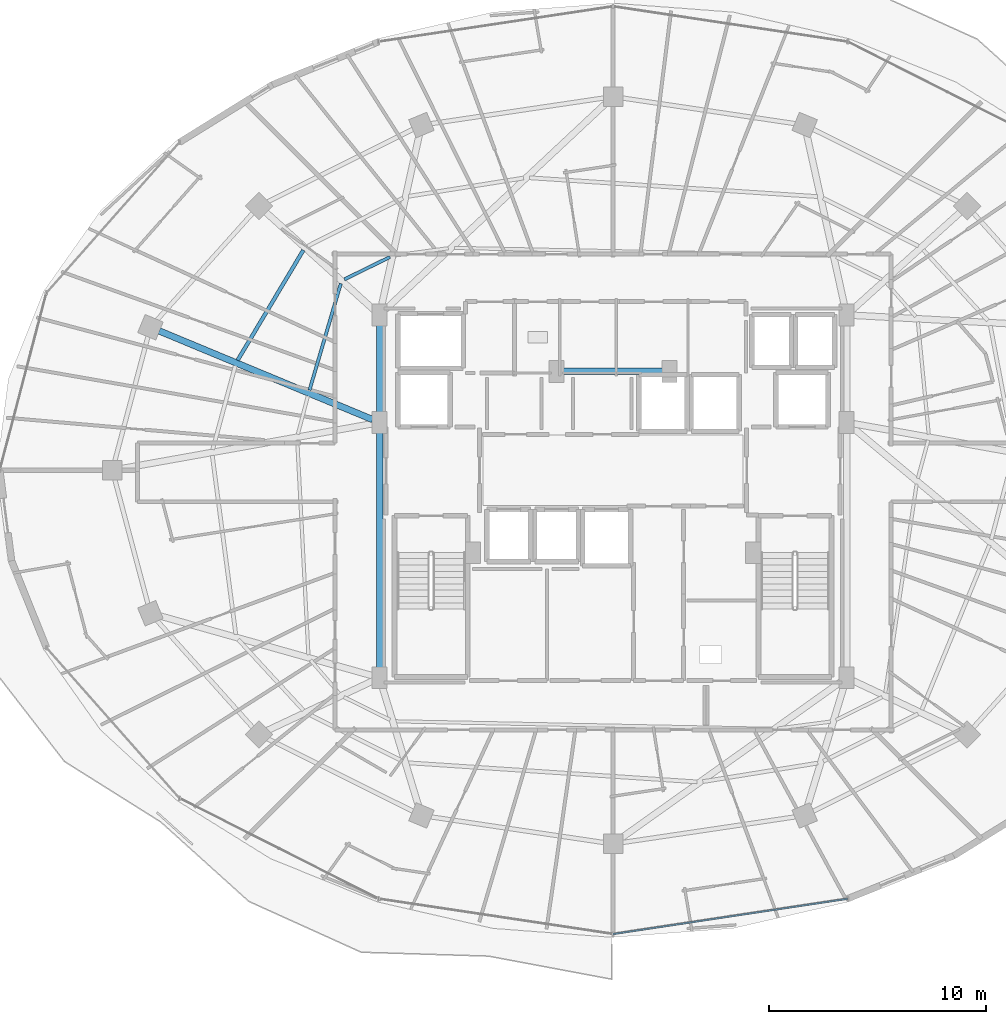
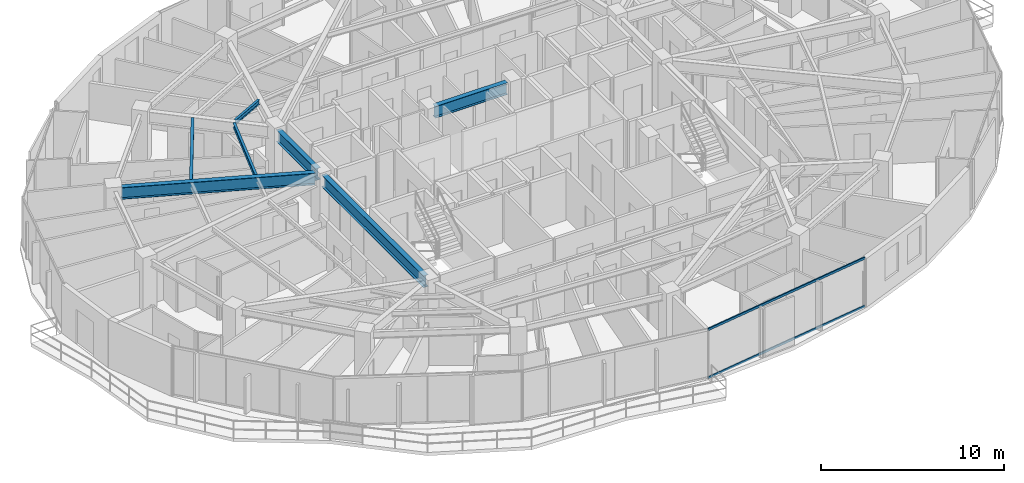
# One storey, part 10 of 34: 7 beams, 2 members, 1 element without a shape of its own.
"""IFC4 building model written with IfcOpenShell, lengths in metres."""

from ifc_helpers import new_model, si_unit, direction, frame, origin, origin_2d, place, context, subcontext, project, spatial, hollow_rectangle, i_section, extrude, material, material_profile, profile_set, type_object, element, aggregate, save


model = new_model("IFC4")

# Units and contexts
model_context = context("Model", 3, precision=1e-05, world=origin(), true_north=direction((0.0, 1.0)))
body_context = subcontext(model_context, "Body", "Model", "MODEL_VIEW")
ifc_project = project(units=[si_unit("LENGTHUNIT", "METRE"), si_unit("AREAUNIT", "SQUARE_METRE"), si_unit("VOLUMEUNIT", "CUBIC_METRE"), si_unit("PLANEANGLEUNIT", "RADIAN"), si_unit("MASSUNIT", "GRAM", prefix="KILO")], contexts=[model_context])

# Site, building, storey
site_placement = place(None, origin())
site = spatial("IfcSite", under=ifc_project, at=site_placement, CompositionType="ELEMENT")
building_placement = place(site_placement, origin())
building = spatial("IfcBuilding", under=site, at=building_placement, Name="Vorneva Point Tower", CompositionType="ELEMENT")
storey_placement = place(building_placement, frame((0.0, 0.0, 186.10009765625)))
storey = spatial("IfcBuildingStorey", under=building, at=storey_placement, Name="L50", CompositionType="ELEMENT", Elevation=186.10009765625)

# Beams
ifc_material_1 = material(Name="Steel S355", Category="steel")
ifc_material_profile_1 = material_profile(ifc_material_1, i_section(OverallWidth=0.300048828125, OverallDepth=0.7880859375, WebThickness=0.014404296875, FlangeThickness=0.02197265625, at=origin_2d()), Name="80Sh1")
ifc_profile_set_1 = profile_set([ifc_material_profile_1], Name="Steel S355")
beam_type_1 = type_object("IfcBeamType", Name="BM-GRD-80Sh1", PredefinedType="USERDEFINED", material=ifc_profile_set_1)
beam_1_placement = place(storey_placement, frame((17.109130859375, 32.4140625, 2.845947265625), z_axis=(0.923445067159, -0.383730645035, 0.0), x_axis=(0.383730645035, 0.923445067159, 0.0)))
element("IfcBeam", 1, at=beam_1_placement, inside=storey, type_object=beam_type_1, Name="L50 Radial Primary Girder 08", ObjectType="GIRDER", PredefinedType="USERDEFINED", context=body_context, shape_type="SweptSolid", body=[
    extrude(i_section(OverallWidth=0.300048828125, OverallDepth=0.7880859375, WebThickness=0.014404296875, FlangeThickness=0.02197265625, at=origin_2d()), origin(), (0.0, 0.0, 1.0), 10.6416015625),
])
beam_2_placement = place(storey_placement, frame((27.25, 16.77001953125, 2.845947265625), z_axis=(0.0, 1.0, 0.0), x_axis=(-1.0, 0.0, 0.0)))
element("IfcBeam", 2, at=beam_2_placement, inside=storey, type_object=beam_type_1, Name="L50 Core Tie Girder CT1", ObjectType="GIRDER", PredefinedType="USERDEFINED", context=body_context, shape_type="SweptSolid", body=[
    extrude(i_section(OverallWidth=0.300048828125, OverallDepth=0.7880859375, WebThickness=0.014404296875, FlangeThickness=0.02197265625, at=origin_2d()), origin(), (0.0, 0.0, 1.0), 11.10986328125),
])
beam_3_placement = place(storey_placement, frame((27.25, 28.52001953125, 2.845947265625), z_axis=(0.0, 1.0, 0.0), x_axis=(-1.0, 0.0, 0.0)))
element("IfcBeam", 3, at=beam_3_placement, inside=storey, type_object=beam_type_1, Name="L50 Core Tie Girder CT2", ObjectType="GIRDER", PredefinedType="USERDEFINED", context=body_context, shape_type="SweptSolid", body=[
    extrude(i_section(OverallWidth=0.300048828125, OverallDepth=0.7880859375, WebThickness=0.014404296875, FlangeThickness=0.02197265625, at=origin_2d()), origin(), (0.0, 0.0, 1.0), 4.31005859375),
])
beam_4_placement = place(storey_placement, frame((35.719970703125, 30.550048828125, 2.845947265625), z_axis=(1.0, 0.0, 0.0), x_axis=(0.0, 1.0, 0.0)))
element("IfcBeam", 4, at=beam_4_placement, inside=storey, type_object=beam_type_1, Name="L50 Core Tie Girder CT8", ObjectType="GIRDER", PredefinedType="USERDEFINED", context=body_context, shape_type="SweptSolid", body=[
    extrude(i_section(OverallWidth=0.300048828125, OverallDepth=0.7880859375, WebThickness=0.014404296875, FlangeThickness=0.02197265625, at=origin_2d()), origin(), (0.0, 0.0, 1.0), 4.56005859375),
])
ifc_material_profile_2 = material_profile(ifc_material_1, i_section(OverallWidth=0.14892578125, OverallDepth=0.298095703125, WebThickness=0.005615234375, FlangeThickness=0.008056640625, at=origin_2d()), Name="30B1")
ifc_profile_set_2 = profile_set([ifc_material_profile_2], Name="Steel S355")
beam_type_2 = type_object("IfcBeamType", Name="BM-JST-30B1", PredefinedType="JOIST", material=ifc_profile_set_2)
beam_5_placement = place(storey_placement, frame((27.727783203125, 35.8154296875, 3.0908203125), z_axis=(-0.897704429199, -0.440598181789, 0.0), x_axis=(0.440598181789, -0.897704429199, 0.0)))
element("IfcBeam", 5, at=beam_5_placement, inside=storey, type_object=beam_type_2, Name="L50 Secondary Floor Beam 2.06", PredefinedType="JOIST", context=body_context, shape_type="SweptSolid", body=[
    extrude(i_section(OverallWidth=0.14892578125, OverallDepth=0.298095703125, WebThickness=0.005615234375, FlangeThickness=0.008056640625, at=origin_2d()), origin(), (0.0, 0.0, 1.0), 2.336669921875),
])
beam_6_placement = place(storey_placement, frame((25.46728515625, 34.5927734375, 3.0908203125), z_axis=(-0.281778448701, -0.959479497357, 0.0), x_axis=(0.959479497357, -0.281778448701, 0.0)))
element("IfcBeam", 6, at=beam_6_placement, inside=storey, type_object=beam_type_2, Name="L50 Secondary Floor Beam 2.07", PredefinedType="JOIST", context=body_context, shape_type="SweptSolid", body=[
    extrude(i_section(OverallWidth=0.14892578125, OverallDepth=0.298095703125, WebThickness=0.005615234375, FlangeThickness=0.008056640625, at=origin_2d()), origin(), (0.0, 0.0, 1.0), 5.11181640625),
])
ifc_material_profile_3 = material_profile(ifc_material_1, i_section(OverallWidth=0.174072265625, OverallDepth=0.345947265625, WebThickness=0.006103515625, FlangeThickness=0.009033203125, at=origin_2d()), Name="35B1")
ifc_profile_set_3 = profile_set([ifc_material_profile_3], Name="Steel S355")
beam_type_3 = type_object("IfcBeamType", Name="BM-SEC-35B1", PredefinedType="BEAM", material=ifc_profile_set_3)
beam_7_placement = place(storey_placement, frame((23.7451171875, 36.133544921875, 3.06689453125), z_axis=(-0.512622198489, -0.858614279882, 0.0), x_axis=(0.858614279882, -0.512622198489, 0.0)))
element("IfcBeam", 7, at=beam_7_placement, inside=storey, type_object=beam_type_3, Name="L50 Secondary Floor Beam 1.07", PredefinedType="BEAM", context=body_context, shape_type="SweptSolid", body=[
    extrude(i_section(OverallWidth=0.174072265625, OverallDepth=0.345947265625, WebThickness=0.006103515625, FlangeThickness=0.009033203125, at=origin_2d()), origin(), (0.0, 0.0, 1.0), 5.906005859375),
])

# Curtain wall, members
ifc_material_2 = material(Name="Pale anodised aluminium", Category="aluminium")
curtain_wall_type = type_object("IfcCurtainWallType", Name="CW-RES-SYS", PredefinedType="NOTDEFINED", material=ifc_material_2)
curtain_wall_placement = place(storey_placement, origin())
curtain_wall = element("IfcCurtainWall", 8, at=curtain_wall_placement, inside=storey, type_object=curtain_wall_type, Name="L50 Unitised Curtain Wall CW-L50-R03", PredefinedType="NOTDEFINED")
ifc_material_profile_4 = material_profile(ifc_material_2, hollow_rectangle(XDim=0.074951171875, YDim=0.14990234375, WallThickness=0.00390625, at=origin_2d()), Name="AL-TRN 150x75x4")
ifc_profile_set_4 = profile_set([ifc_material_profile_4], Name="Pale anodised aluminium")
member_type = type_object("IfcMemberType", Name="CW-TRN-150", PredefinedType="USERDEFINED", material=ifc_profile_set_4)
member_1_placement = place(storey_placement, frame((38.0, 4.64990234375, 0.02001953125), z_axis=(0.988872333273, 0.148766624239, 0.0), x_axis=(-0.148766624239, 0.988872333273, 0.0)))
member_1 = element("IfcMember", 9, at=member_1_placement, type_object=member_type, Name="CW-L50-R03 Transom 04.1", ObjectType="TRANSOM", PredefinedType="USERDEFINED", context=body_context, shape_type="SweptSolid", body=[
    extrude(hollow_rectangle(XDim=0.074951171875, YDim=0.14990234375, WallThickness=0.00390625, at=origin_2d()), origin(), (0.0, 0.0, 1.0), 10.9248046875),
])
member_2_placement = place(storey_placement, frame((38.0, 4.64990234375, 3.219970703125), z_axis=(0.988872333273, 0.148766624239, 0.0), x_axis=(-0.148766624239, 0.988872333273, 0.0)))
member_2 = element("IfcMember", 10, at=member_2_placement, type_object=member_type, Name="CW-L50-R03 Transom 04.2", ObjectType="TRANSOM", PredefinedType="USERDEFINED", context=body_context, shape_type="SweptSolid", body=[
    extrude(hollow_rectangle(XDim=0.074951171875, YDim=0.14990234375, WallThickness=0.00390625, at=origin_2d()), origin(), (0.0, 0.0, 1.0), 10.9248046875),
])
aggregate(curtain_wall, [member_1, member_2])

save(model, "model.ifc")
